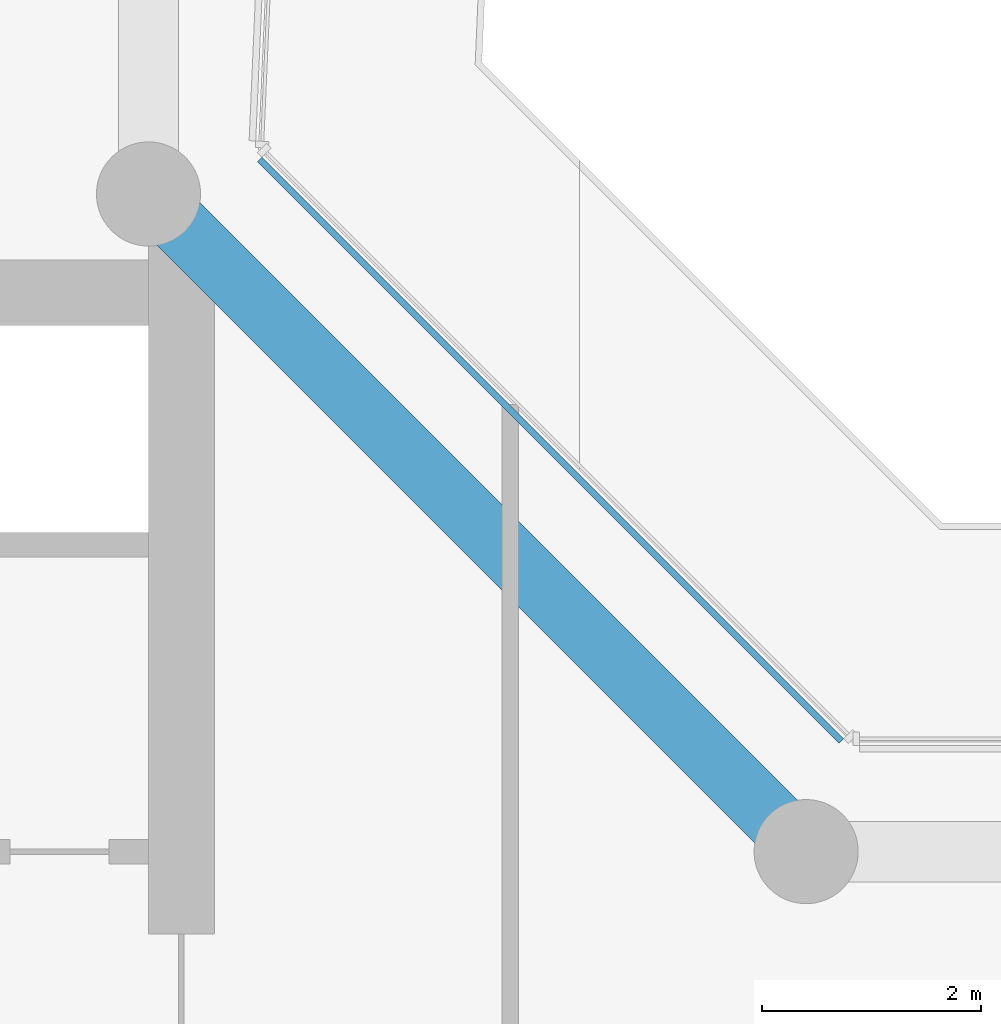
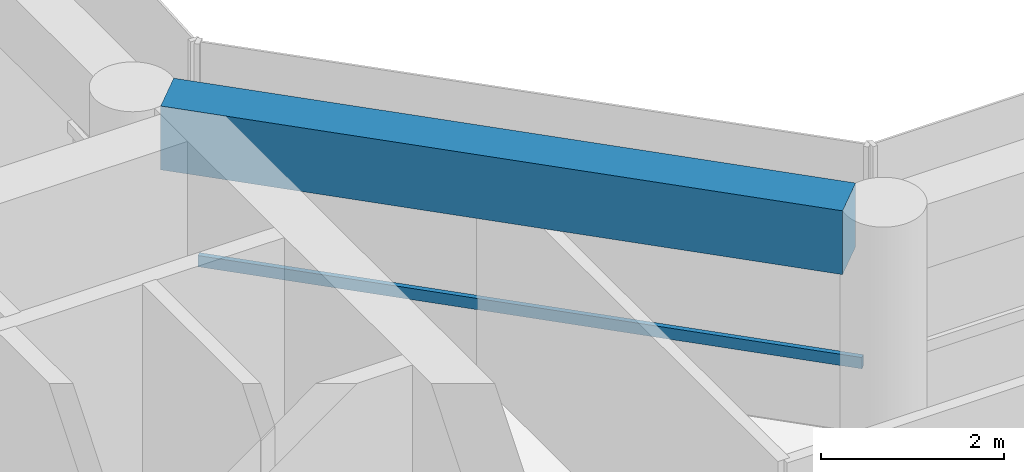
# One storey, part 5 of 21: 1 beam, 1 member, 1 element without a shape of its own.
"""IFC4 building model written with IfcOpenShell, lengths in metres."""

from ifc_helpers import new_model, si_unit, direction, frame, origin, origin_2d, place, context, subcontext, project, spatial, rectangle, extrude, material, layer, layer_set, material_profile, profile_set, type_object, element, aggregate, save


model = new_model("IFC4")

# Units and contexts
model_context = context("Model", 3, precision=1e-05, world=origin(), true_north=direction((0.0, 1.0)))
body_context = subcontext(model_context, "Body", "Model", "MODEL_VIEW")
ifc_project = project(units=[si_unit("LENGTHUNIT", "METRE"), si_unit("AREAUNIT", "SQUARE_METRE"), si_unit("VOLUMEUNIT", "CUBIC_METRE"), si_unit("PLANEANGLEUNIT", "RADIAN"), si_unit("MASSUNIT", "GRAM", prefix="KILO")], contexts=[model_context])

# Site, building, storey
site_placement = place(None, origin())
site = spatial("IfcSite", under=ifc_project, at=site_placement, CompositionType="ELEMENT")
building_placement = place(site_placement, origin())
building = spatial("IfcBuilding", under=site, at=building_placement, Name="Welwitschia Terrace Campus", CompositionType="ELEMENT")
storey_placement = place(building_placement, frame((0.0, 0.0, 159.199951171875)))
storey = spatial("IfcBuildingStorey", under=building, at=storey_placement, Name="L35", CompositionType="ELEMENT", Elevation=159.199951171875)

# Beam
ifc_material_1 = material(Name="Concrete C50/60", Category="concrete")
ifc_material_profile_1 = material_profile(ifc_material_1, rectangle(XDim=0.550048828125, YDim=0.85009765625, at=origin_2d()))
ifc_profile_set_1 = profile_set([ifc_material_profile_1], Name="Concrete C50/60")
beam_type = type_object("IfcBeamType", Name="Ring spandrel 550x850", PredefinedType="SPANDREL", material=ifc_profile_set_1)
beam_placement = place(storey_placement, frame((29.7255859375, 20.2744140625, 3.425048828125), z_axis=(-0.707106781187, 0.707106781187, 0.0), x_axis=(-0.707106781187, -0.707106781187, 0.0)))
element("IfcBeam", 1, at=beam_placement, inside=storey, type_object=beam_type, Name="Spandrel SP3", PredefinedType="SPANDREL", context=body_context, shape_type="SweptSolid", body=[
    extrude(rectangle(XDim=0.550048828125, YDim=0.85009765625, at=origin_2d()), origin(), (0.0, 0.0, 1.0), 7.709228515625),
])

# Curtain wall, member
ifc_material_2 = material(Name="Bronze anodised aluminium", Category="aluminium")
ifc_layer = layer(ifc_material_2, 0.1201171875)
ifc_layer_set = layer_set([ifc_layer], Name="Bronze anodised aluminium")
curtain_wall_type = type_object("IfcCurtainWallType", Name="Curtain wall CW2 tower 6000", PredefinedType="NOTDEFINED", material=ifc_layer_set)
curtain_wall_placement = place(storey_placement, origin())
curtain_wall = element("IfcCurtainWall", 2, at=curtain_wall_placement, inside=storey, type_object=curtain_wall_type, Name="CW L35.8.0", PredefinedType="NOTDEFINED")
ifc_material_3 = material(Name="Bronze anodised aluminium", Category="aluminium")
ifc_material_profile_2 = material_profile(ifc_material_3, rectangle(XDim=0.06005859375, YDim=0.14990234375, at=origin_2d()))
ifc_profile_set_2 = profile_set([ifc_material_profile_2], Name="Bronze anodised aluminium")
member_type = type_object("IfcMemberType", Name="Transom 60x150", PredefinedType="USERDEFINED", material=ifc_profile_set_2)
member_placement = place(storey_placement, frame((30.320556640625, 21.0087890625, 1.0), z_axis=(-0.707106781187, 0.707106781187, 0.0), x_axis=(-0.707106781187, -0.707106781187, 0.0)))
member = element("IfcMember", 3, at=member_placement, type_object=member_type, Name="Transom L35.8.0", ObjectType="TRANSOM", PredefinedType="USERDEFINED", context=body_context, shape_type="SweptSolid", body=[
    extrude(rectangle(XDim=0.06005859375, YDim=0.14990234375, at=origin_2d()), origin(), (0.0, 0.0, 1.0), 7.50439453125),
])
aggregate(curtain_wall, [member])

save(model, "model.ifc")
